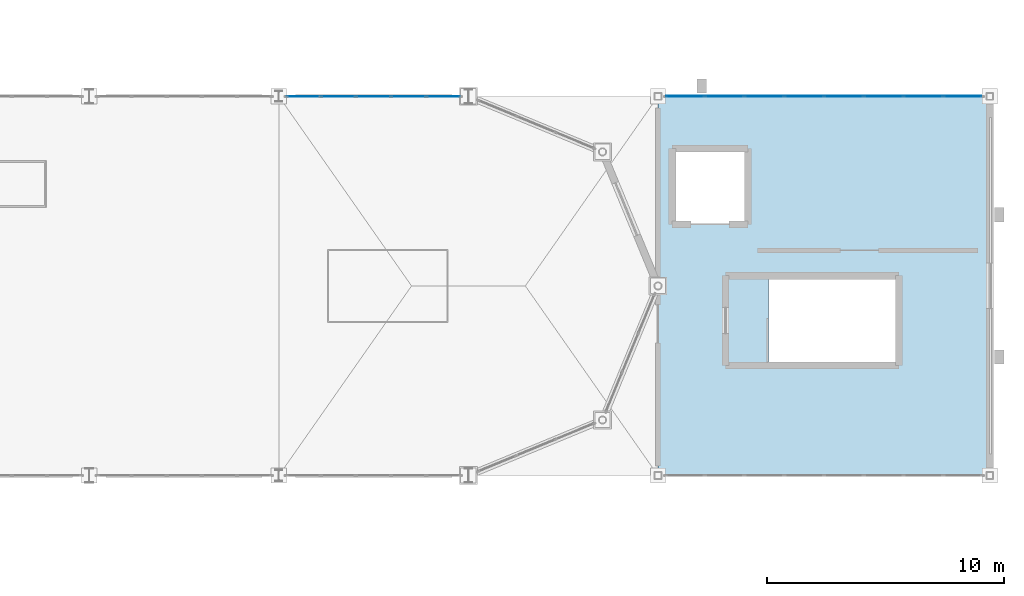
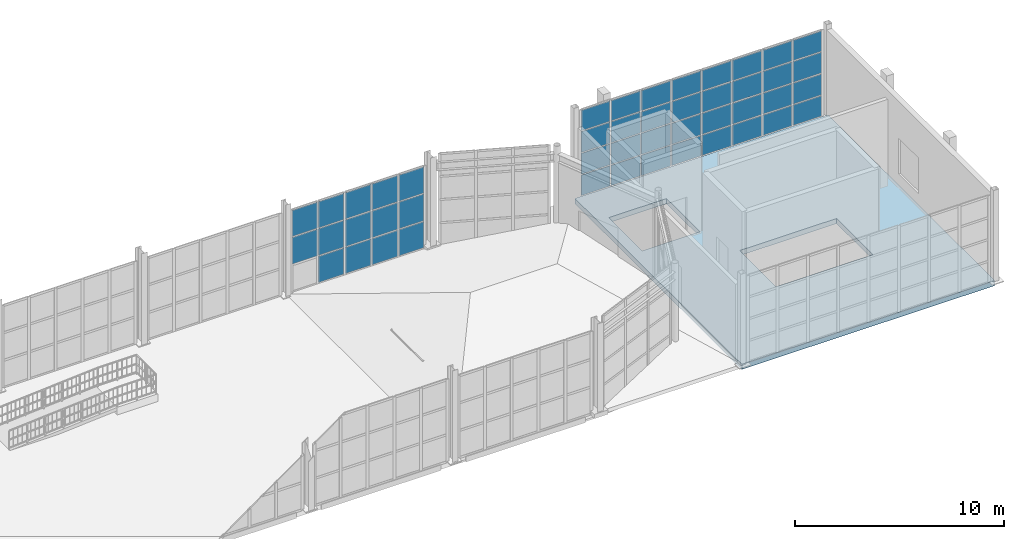
# One storey, part 63 of 82: 46 plates, 1 slab, 2 elements without a shape of their own.
"""IFC4 building model written with IfcOpenShell, lengths in metres."""

from ifc_helpers import new_model, si_unit, direction, frame, origin, origin_2d, place, context, subcontext, project, spatial, polyline, rectangle, outline, extrude, material, layer, layer_set, type_object, element, aggregate, save


model = new_model("IFC4")

# Units and contexts
model_context = context("Model", 3, precision=1e-05, world=origin(), true_north=direction((0.0, 1.0)))
body_context = subcontext(model_context, "Body", "Model", "MODEL_VIEW")
ifc_project = project(units=[si_unit("LENGTHUNIT", "METRE"), si_unit("AREAUNIT", "SQUARE_METRE"), si_unit("VOLUMEUNIT", "CUBIC_METRE"), si_unit("PLANEANGLEUNIT", "RADIAN"), si_unit("MASSUNIT", "GRAM", prefix="KILO")], contexts=[model_context])

# Site, building, storey
site_placement = place(None, origin())
site = spatial("IfcSite", under=ifc_project, at=site_placement, CompositionType="ELEMENT")
building_placement = place(site_placement, origin())
building = spatial("IfcBuilding", under=site, at=building_placement, Name="Serraluz Foothill Cableway Terminal", CompositionType="ELEMENT")
storey_placement = place(building_placement, frame((0.0, 0.0, 9.60009765625)))
storey = spatial("IfcBuildingStorey", under=building, at=storey_placement, Name="L02", CompositionType="ELEMENT", Elevation=9.60009765625)

# Curtain wall, plates
ifc_material_1 = material(Name="Architectural bronze alloy C28000", Category="aluminium")
curtain_wall_type_1 = type_object("IfcCurtainWallType", Name="TYP-CW-1480X420", PredefinedType="NOTDEFINED", material=ifc_material_1)
curtain_wall_1_placement = place(storey_placement, origin())
curtain_wall_1 = element("IfcCurtainWall", 1, at=curtain_wall_1_placement, inside=storey, type_object=curtain_wall_type_1, Name="Ribbed Glazed Curtain Wall CW-V1N-L02-144", PredefinedType="NOTDEFINED")
ifc_material_2 = material(Name="Translucent ribbed laminated channel glass", Category="glass")
ifc_layer_1 = layer(ifc_material_2, 0.028076171875, Name="Translucent ribbed laminated channel glass", Category="glass")
ifc_layer_set_1 = layer_set([ifc_layer_1], Name="Translucent ribbed laminated channel glass")
plate_type_1 = type_object("IfcPlateType", Name="TYP-CW-PNL-28", PredefinedType="CURTAIN_PANEL", material=ifc_layer_set_1)
plate_1_placement = place(storey_placement, frame((145.0380859375, 72.0, 1.646484375), z_axis=(0.0, 0.0, 1.0), x_axis=(1.0, 0.0, 0.0)))
plate_1 = element("IfcPlate", 2, at=plate_1_placement, type_object=plate_type_1, Name="CW-23 panel 1.2", PredefinedType="CURTAIN_PANEL", context=body_context, shape_type="SweptSolid", body=[
    extrude(rectangle(XDim=1.393310546875, YDim=0.028076171875, at=origin_2d()), origin(), (0.0, 0.0, 1.0), 1.556640625),
])
plate_2_placement = place(storey_placement, frame((145.0380859375, 72.0, 3.26318359375), z_axis=(0.0, 0.0, 1.0), x_axis=(1.0, 0.0, 0.0)))
plate_2 = element("IfcPlate", 3, at=plate_2_placement, type_object=plate_type_1, Name="CW-23 panel 1.3", PredefinedType="CURTAIN_PANEL", context=body_context, shape_type="SweptSolid", body=[
    extrude(rectangle(XDim=1.393310546875, YDim=0.028076171875, at=origin_2d()), origin(), (0.0, 0.0, 1.0), 1.526611328125),
])
plate_3_placement = place(storey_placement, frame((146.50634765625, 72.0, 0.06005859375), z_axis=(0.0, 0.0, 1.0), x_axis=(1.0, 0.0, 0.0)))
plate_3 = element("IfcPlate", 4, at=plate_3_placement, type_object=plate_type_1, Name="CW-23 panel 2.1", PredefinedType="CURTAIN_PANEL", context=body_context, shape_type="SweptSolid", body=[
    extrude(rectangle(XDim=1.423095703125, YDim=0.028076171875, at=origin_2d()), origin(), (0.0, 0.0, 1.0), 1.526611328125),
])
plate_4_placement = place(storey_placement, frame((146.50634765625, 72.0, 1.646484375), z_axis=(0.0, 0.0, 1.0), x_axis=(1.0, 0.0, 0.0)))
plate_4 = element("IfcPlate", 5, at=plate_4_placement, type_object=plate_type_1, Name="CW-23 panel 2.2", PredefinedType="CURTAIN_PANEL", context=body_context, shape_type="SweptSolid", body=[
    extrude(rectangle(XDim=1.423095703125, YDim=0.028076171875, at=origin_2d()), origin(), (0.0, 0.0, 1.0), 1.556640625),
])
plate_5_placement = place(storey_placement, frame((146.50634765625, 72.0, 3.26318359375), z_axis=(0.0, 0.0, 1.0), x_axis=(1.0, 0.0, 0.0)))
plate_5 = element("IfcPlate", 6, at=plate_5_placement, type_object=plate_type_1, Name="CW-23 panel 2.3", PredefinedType="CURTAIN_PANEL", context=body_context, shape_type="SweptSolid", body=[
    extrude(rectangle(XDim=1.423095703125, YDim=0.028076171875, at=origin_2d()), origin(), (0.0, 0.0, 1.0), 1.526611328125),
])
plate_6_placement = place(storey_placement, frame((147.989501953125, 72.0, 0.06005859375), z_axis=(0.0, 0.0, 1.0), x_axis=(1.0, 0.0, 0.0)))
plate_6 = element("IfcPlate", 7, at=plate_6_placement, type_object=plate_type_1, Name="CW-23 panel 3.1", PredefinedType="CURTAIN_PANEL", context=body_context, shape_type="SweptSolid", body=[
    extrude(rectangle(XDim=1.423095703125, YDim=0.028076171875, at=origin_2d()), origin(), (0.0, 0.0, 1.0), 1.526611328125),
])
plate_7_placement = place(storey_placement, frame((147.989501953125, 72.0, 1.646484375), z_axis=(0.0, 0.0, 1.0), x_axis=(1.0, 0.0, 0.0)))
plate_7 = element("IfcPlate", 8, at=plate_7_placement, type_object=plate_type_1, Name="CW-23 panel 3.2", PredefinedType="CURTAIN_PANEL", context=body_context, shape_type="SweptSolid", body=[
    extrude(rectangle(XDim=1.423095703125, YDim=0.028076171875, at=origin_2d()), origin(), (0.0, 0.0, 1.0), 1.556640625),
])
plate_8_placement = place(storey_placement, frame((147.989501953125, 72.0, 3.26318359375), z_axis=(0.0, 0.0, 1.0), x_axis=(1.0, 0.0, 0.0)))
plate_8 = element("IfcPlate", 9, at=plate_8_placement, type_object=plate_type_1, Name="CW-23 panel 3.3", PredefinedType="CURTAIN_PANEL", context=body_context, shape_type="SweptSolid", body=[
    extrude(rectangle(XDim=1.423095703125, YDim=0.028076171875, at=origin_2d()), origin(), (0.0, 0.0, 1.0), 1.526611328125),
])
plate_9_placement = place(storey_placement, frame((149.47265625, 72.0, 0.06005859375), z_axis=(0.0, 0.0, 1.0), x_axis=(1.0, 0.0, 0.0)))
plate_9 = element("IfcPlate", 10, at=plate_9_placement, type_object=plate_type_1, Name="CW-23 panel 4.1", PredefinedType="CURTAIN_PANEL", context=body_context, shape_type="SweptSolid", body=[
    extrude(rectangle(XDim=1.423095703125, YDim=0.028076171875, at=origin_2d()), origin(), (0.0, 0.0, 1.0), 1.526611328125),
])
plate_10_placement = place(storey_placement, frame((149.47265625, 72.0, 1.646484375), z_axis=(0.0, 0.0, 1.0), x_axis=(1.0, 0.0, 0.0)))
plate_10 = element("IfcPlate", 11, at=plate_10_placement, type_object=plate_type_1, Name="CW-23 panel 4.2", PredefinedType="CURTAIN_PANEL", context=body_context, shape_type="SweptSolid", body=[
    extrude(rectangle(XDim=1.423095703125, YDim=0.028076171875, at=origin_2d()), origin(), (0.0, 0.0, 1.0), 1.556640625),
])
plate_11_placement = place(storey_placement, frame((149.47265625, 72.0, 3.26318359375), z_axis=(0.0, 0.0, 1.0), x_axis=(1.0, 0.0, 0.0)))
plate_11 = element("IfcPlate", 12, at=plate_11_placement, type_object=plate_type_1, Name="CW-23 panel 4.3", PredefinedType="CURTAIN_PANEL", context=body_context, shape_type="SweptSolid", body=[
    extrude(rectangle(XDim=1.423095703125, YDim=0.028076171875, at=origin_2d()), origin(), (0.0, 0.0, 1.0), 1.526611328125),
])
plate_12_placement = place(storey_placement, frame((150.94091796875, 72.0, 0.06005859375), z_axis=(0.0, 0.0, 1.0), x_axis=(1.0, 0.0, 0.0)))
plate_12 = element("IfcPlate", 13, at=plate_12_placement, type_object=plate_type_1, Name="CW-23 panel 5.1", PredefinedType="CURTAIN_PANEL", context=body_context, shape_type="SweptSolid", body=[
    extrude(rectangle(XDim=1.393310546875, YDim=0.028076171875, at=origin_2d()), origin(), (0.0, 0.0, 1.0), 1.526611328125),
])
plate_13_placement = place(storey_placement, frame((150.94091796875, 72.0, 1.646484375), z_axis=(0.0, 0.0, 1.0), x_axis=(1.0, 0.0, 0.0)))
plate_13 = element("IfcPlate", 14, at=plate_13_placement, type_object=plate_type_1, Name="CW-23 panel 5.2", PredefinedType="CURTAIN_PANEL", context=body_context, shape_type="SweptSolid", body=[
    extrude(rectangle(XDim=1.393310546875, YDim=0.028076171875, at=origin_2d()), origin(), (0.0, 0.0, 1.0), 1.556640625),
])
plate_14_placement = place(storey_placement, frame((150.94091796875, 72.0, 3.26318359375), z_axis=(0.0, 0.0, 1.0), x_axis=(1.0, 0.0, 0.0)))
plate_14 = element("IfcPlate", 15, at=plate_14_placement, type_object=plate_type_1, Name="CW-23 panel 5.3", PredefinedType="CURTAIN_PANEL", context=body_context, shape_type="SweptSolid", body=[
    extrude(rectangle(XDim=1.393310546875, YDim=0.028076171875, at=origin_2d()), origin(), (0.0, 0.0, 1.0), 1.526611328125),
])
aggregate(curtain_wall_1, [plate_1, plate_2, plate_3, plate_4, plate_5, plate_6, plate_7, plate_8, plate_9, plate_10, plate_11, plate_12, plate_13, plate_14])

curtain_wall_type_2 = type_object("IfcCurtainWallType", Name="TYP-CW-1280X440", PredefinedType="NOTDEFINED", material=ifc_material_1)
curtain_wall_2_placement = place(storey_placement, origin())
curtain_wall_2 = element("IfcCurtainWall", 16, at=curtain_wall_2_placement, inside=storey, type_object=curtain_wall_type_2, Name="Ribbed Glazed Curtain Wall CW-V2N-L02", PredefinedType="NOTDEFINED")
ifc_material_3 = material(Name="Laminated low-E safety glass", Category="glass")
ifc_layer_2 = layer(ifc_material_3, 0.035888671875, Name="Laminated low-E safety glass", Category="glass")
ifc_layer_set_2 = layer_set([ifc_layer_2], Name="Laminated low-E safety glass")
plate_type_2 = type_object("IfcPlateType", Name="TYP-CW-PNL-36", PredefinedType="CURTAIN_PANEL", material=ifc_layer_set_2)
plate_15_placement = place(storey_placement, frame((161.143798828125, 72.0, 0.059814453125), z_axis=(0.0, 0.0, 1.0), x_axis=(1.0, 0.0, 0.0)))
plate_15 = element("IfcPlate", 17, at=plate_15_placement, type_object=plate_type_2, Name="CW-22 panel 1.1", PredefinedType="CURTAIN_PANEL", context=body_context, shape_type="SweptSolid", body=[
    extrude(rectangle(XDim=1.58740234375, YDim=0.035888671875, at=origin_2d()), origin(), (0.0, 0.0, 1.0), 1.18505859375),
])
plate_16_placement = place(storey_placement, frame((161.143798828125, 72.0, 1.3046875), z_axis=(0.0, 0.0, 1.0), x_axis=(1.0, 0.0, 0.0)))
plate_16 = element("IfcPlate", 18, at=plate_16_placement, type_object=plate_type_2, Name="CW-22 panel 1.2", PredefinedType="CURTAIN_PANEL", context=body_context, shape_type="SweptSolid", body=[
    extrude(rectangle(XDim=1.58740234375, YDim=0.035888671875, at=origin_2d()), origin(), (0.0, 0.0, 1.0), 1.215087890625),
])
plate_17_placement = place(storey_placement, frame((161.143798828125, 72.0, 2.580078125), z_axis=(0.0, 0.0, 1.0), x_axis=(1.0, 0.0, 0.0)))
plate_17 = element("IfcPlate", 19, at=plate_17_placement, type_object=plate_type_2, Name="CW-22 panel 1.3", PredefinedType="CURTAIN_PANEL", context=body_context, shape_type="SweptSolid", body=[
    extrude(rectangle(XDim=1.58740234375, YDim=0.035888671875, at=origin_2d()), origin(), (0.0, 0.0, 1.0), 1.215087890625),
])
plate_18_placement = place(storey_placement, frame((161.143798828125, 72.0, 3.85498046875), z_axis=(0.0, 0.0, 1.0), x_axis=(1.0, 0.0, 0.0)))
plate_18 = element("IfcPlate", 20, at=plate_18_placement, type_object=plate_type_2, Name="CW-22 panel 1.4", PredefinedType="CURTAIN_PANEL", context=body_context, shape_type="SweptSolid", body=[
    extrude(rectangle(XDim=1.58740234375, YDim=0.035888671875, at=origin_2d()), origin(), (0.0, 0.0, 1.0), 1.18505859375),
])
plate_19_placement = place(storey_placement, frame((162.80615234375, 72.0, 0.059814453125), z_axis=(0.0, 0.0, 1.0), x_axis=(1.0, 0.0, 0.0)))
plate_19 = element("IfcPlate", 21, at=plate_19_placement, type_object=plate_type_2, Name="CW-22 panel 2.1", PredefinedType="CURTAIN_PANEL", context=body_context, shape_type="SweptSolid", body=[
    extrude(rectangle(XDim=1.617431640625, YDim=0.035888671875, at=origin_2d()), origin(), (0.0, 0.0, 1.0), 1.18505859375),
])
plate_20_placement = place(storey_placement, frame((162.80615234375, 72.0, 1.3046875), z_axis=(0.0, 0.0, 1.0), x_axis=(1.0, 0.0, 0.0)))
plate_20 = element("IfcPlate", 22, at=plate_20_placement, type_object=plate_type_2, Name="CW-22 panel 2.2", PredefinedType="CURTAIN_PANEL", context=body_context, shape_type="SweptSolid", body=[
    extrude(rectangle(XDim=1.617431640625, YDim=0.035888671875, at=origin_2d()), origin(), (0.0, 0.0, 1.0), 1.215087890625),
])
plate_21_placement = place(storey_placement, frame((162.80615234375, 72.0, 2.580078125), z_axis=(0.0, 0.0, 1.0), x_axis=(1.0, 0.0, 0.0)))
plate_21 = element("IfcPlate", 23, at=plate_21_placement, type_object=plate_type_2, Name="CW-22 panel 2.3", PredefinedType="CURTAIN_PANEL", context=body_context, shape_type="SweptSolid", body=[
    extrude(rectangle(XDim=1.617431640625, YDim=0.035888671875, at=origin_2d()), origin(), (0.0, 0.0, 1.0), 1.215087890625),
])
plate_22_placement = place(storey_placement, frame((162.80615234375, 72.0, 3.85498046875), z_axis=(0.0, 0.0, 1.0), x_axis=(1.0, 0.0, 0.0)))
plate_22 = element("IfcPlate", 24, at=plate_22_placement, type_object=plate_type_2, Name="CW-22 panel 2.4", PredefinedType="CURTAIN_PANEL", context=body_context, shape_type="SweptSolid", body=[
    extrude(rectangle(XDim=1.617431640625, YDim=0.035888671875, at=origin_2d()), origin(), (0.0, 0.0, 1.0), 1.18505859375),
])
plate_23_placement = place(storey_placement, frame((164.483642578125, 72.0, 0.059814453125), z_axis=(0.0, 0.0, 1.0), x_axis=(1.0, 0.0, 0.0)))
plate_23 = element("IfcPlate", 25, at=plate_23_placement, type_object=plate_type_2, Name="CW-22 panel 3.1", PredefinedType="CURTAIN_PANEL", context=body_context, shape_type="SweptSolid", body=[
    extrude(rectangle(XDim=1.617431640625, YDim=0.035888671875, at=origin_2d()), origin(), (0.0, 0.0, 1.0), 1.18505859375),
])
plate_24_placement = place(storey_placement, frame((164.483642578125, 72.0, 1.3046875), z_axis=(0.0, 0.0, 1.0), x_axis=(1.0, 0.0, 0.0)))
plate_24 = element("IfcPlate", 26, at=plate_24_placement, type_object=plate_type_2, Name="CW-22 panel 3.2", PredefinedType="CURTAIN_PANEL", context=body_context, shape_type="SweptSolid", body=[
    extrude(rectangle(XDim=1.617431640625, YDim=0.035888671875, at=origin_2d()), origin(), (0.0, 0.0, 1.0), 1.215087890625),
])
plate_25_placement = place(storey_placement, frame((164.483642578125, 72.0, 2.580078125), z_axis=(0.0, 0.0, 1.0), x_axis=(1.0, 0.0, 0.0)))
plate_25 = element("IfcPlate", 27, at=plate_25_placement, type_object=plate_type_2, Name="CW-22 panel 3.3", PredefinedType="CURTAIN_PANEL", context=body_context, shape_type="SweptSolid", body=[
    extrude(rectangle(XDim=1.617431640625, YDim=0.035888671875, at=origin_2d()), origin(), (0.0, 0.0, 1.0), 1.215087890625),
])
plate_26_placement = place(storey_placement, frame((164.483642578125, 72.0, 3.85498046875), z_axis=(0.0, 0.0, 1.0), x_axis=(1.0, 0.0, 0.0)))
plate_26 = element("IfcPlate", 28, at=plate_26_placement, type_object=plate_type_2, Name="CW-22 panel 3.4", PredefinedType="CURTAIN_PANEL", context=body_context, shape_type="SweptSolid", body=[
    extrude(rectangle(XDim=1.617431640625, YDim=0.035888671875, at=origin_2d()), origin(), (0.0, 0.0, 1.0), 1.18505859375),
])
plate_27_placement = place(storey_placement, frame((166.1611328125, 72.0, 0.059814453125), z_axis=(0.0, 0.0, 1.0), x_axis=(1.0, 0.0, 0.0)))
plate_27 = element("IfcPlate", 29, at=plate_27_placement, type_object=plate_type_2, Name="CW-22 panel 4.1", PredefinedType="CURTAIN_PANEL", context=body_context, shape_type="SweptSolid", body=[
    extrude(rectangle(XDim=1.617431640625, YDim=0.035888671875, at=origin_2d()), origin(), (0.0, 0.0, 1.0), 1.18505859375),
])
plate_28_placement = place(storey_placement, frame((166.1611328125, 72.0, 1.3046875), z_axis=(0.0, 0.0, 1.0), x_axis=(1.0, 0.0, 0.0)))
plate_28 = element("IfcPlate", 30, at=plate_28_placement, type_object=plate_type_2, Name="CW-22 panel 4.2", PredefinedType="CURTAIN_PANEL", context=body_context, shape_type="SweptSolid", body=[
    extrude(rectangle(XDim=1.617431640625, YDim=0.035888671875, at=origin_2d()), origin(), (0.0, 0.0, 1.0), 1.215087890625),
])
plate_29_placement = place(storey_placement, frame((166.1611328125, 72.0, 2.580078125), z_axis=(0.0, 0.0, 1.0), x_axis=(1.0, 0.0, 0.0)))
plate_29 = element("IfcPlate", 31, at=plate_29_placement, type_object=plate_type_2, Name="CW-22 panel 4.3", PredefinedType="CURTAIN_PANEL", context=body_context, shape_type="SweptSolid", body=[
    extrude(rectangle(XDim=1.617431640625, YDim=0.035888671875, at=origin_2d()), origin(), (0.0, 0.0, 1.0), 1.215087890625),
])
plate_30_placement = place(storey_placement, frame((166.1611328125, 72.0, 3.85498046875), z_axis=(0.0, 0.0, 1.0), x_axis=(1.0, 0.0, 0.0)))
plate_30 = element("IfcPlate", 32, at=plate_30_placement, type_object=plate_type_2, Name="CW-22 panel 4.4", PredefinedType="CURTAIN_PANEL", context=body_context, shape_type="SweptSolid", body=[
    extrude(rectangle(XDim=1.617431640625, YDim=0.035888671875, at=origin_2d()), origin(), (0.0, 0.0, 1.0), 1.18505859375),
])
plate_31_placement = place(storey_placement, frame((167.8388671875, 72.0, 0.059814453125), z_axis=(0.0, 0.0, 1.0), x_axis=(1.0, 0.0, 0.0)))
plate_31 = element("IfcPlate", 33, at=plate_31_placement, type_object=plate_type_2, Name="CW-22 panel 5.1", PredefinedType="CURTAIN_PANEL", context=body_context, shape_type="SweptSolid", body=[
    extrude(rectangle(XDim=1.617431640625, YDim=0.035888671875, at=origin_2d()), origin(), (0.0, 0.0, 1.0), 1.18505859375),
])
plate_32_placement = place(storey_placement, frame((167.8388671875, 72.0, 1.3046875), z_axis=(0.0, 0.0, 1.0), x_axis=(1.0, 0.0, 0.0)))
plate_32 = element("IfcPlate", 34, at=plate_32_placement, type_object=plate_type_2, Name="CW-22 panel 5.2", PredefinedType="CURTAIN_PANEL", context=body_context, shape_type="SweptSolid", body=[
    extrude(rectangle(XDim=1.617431640625, YDim=0.035888671875, at=origin_2d()), origin(), (0.0, 0.0, 1.0), 1.215087890625),
])
plate_33_placement = place(storey_placement, frame((167.8388671875, 72.0, 2.580078125), z_axis=(0.0, 0.0, 1.0), x_axis=(1.0, 0.0, 0.0)))
plate_33 = element("IfcPlate", 35, at=plate_33_placement, type_object=plate_type_2, Name="CW-22 panel 5.3", PredefinedType="CURTAIN_PANEL", context=body_context, shape_type="SweptSolid", body=[
    extrude(rectangle(XDim=1.617431640625, YDim=0.035888671875, at=origin_2d()), origin(), (0.0, 0.0, 1.0), 1.215087890625),
])
plate_34_placement = place(storey_placement, frame((167.8388671875, 72.0, 3.85498046875), z_axis=(0.0, 0.0, 1.0), x_axis=(1.0, 0.0, 0.0)))
plate_34 = element("IfcPlate", 36, at=plate_34_placement, type_object=plate_type_2, Name="CW-22 panel 5.4", PredefinedType="CURTAIN_PANEL", context=body_context, shape_type="SweptSolid", body=[
    extrude(rectangle(XDim=1.617431640625, YDim=0.035888671875, at=origin_2d()), origin(), (0.0, 0.0, 1.0), 1.18505859375),
])
plate_35_placement = place(storey_placement, frame((169.516357421875, 72.0, 0.059814453125), z_axis=(0.0, 0.0, 1.0), x_axis=(1.0, 0.0, 0.0)))
plate_35 = element("IfcPlate", 37, at=plate_35_placement, type_object=plate_type_2, Name="CW-22 panel 6.1", PredefinedType="CURTAIN_PANEL", context=body_context, shape_type="SweptSolid", body=[
    extrude(rectangle(XDim=1.617431640625, YDim=0.035888671875, at=origin_2d()), origin(), (0.0, 0.0, 1.0), 1.18505859375),
])
plate_36_placement = place(storey_placement, frame((169.516357421875, 72.0, 1.3046875), z_axis=(0.0, 0.0, 1.0), x_axis=(1.0, 0.0, 0.0)))
plate_36 = element("IfcPlate", 38, at=plate_36_placement, type_object=plate_type_2, Name="CW-22 panel 6.2", PredefinedType="CURTAIN_PANEL", context=body_context, shape_type="SweptSolid", body=[
    extrude(rectangle(XDim=1.617431640625, YDim=0.035888671875, at=origin_2d()), origin(), (0.0, 0.0, 1.0), 1.215087890625),
])
plate_37_placement = place(storey_placement, frame((169.516357421875, 72.0, 2.580078125), z_axis=(0.0, 0.0, 1.0), x_axis=(1.0, 0.0, 0.0)))
plate_37 = element("IfcPlate", 39, at=plate_37_placement, type_object=plate_type_2, Name="CW-22 panel 6.3", PredefinedType="CURTAIN_PANEL", context=body_context, shape_type="SweptSolid", body=[
    extrude(rectangle(XDim=1.617431640625, YDim=0.035888671875, at=origin_2d()), origin(), (0.0, 0.0, 1.0), 1.215087890625),
])
plate_38_placement = place(storey_placement, frame((169.516357421875, 72.0, 3.85498046875), z_axis=(0.0, 0.0, 1.0), x_axis=(1.0, 0.0, 0.0)))
plate_38 = element("IfcPlate", 40, at=plate_38_placement, type_object=plate_type_2, Name="CW-22 panel 6.4", PredefinedType="CURTAIN_PANEL", context=body_context, shape_type="SweptSolid", body=[
    extrude(rectangle(XDim=1.617431640625, YDim=0.035888671875, at=origin_2d()), origin(), (0.0, 0.0, 1.0), 1.18505859375),
])
plate_39_placement = place(storey_placement, frame((171.19384765625, 72.0, 0.059814453125), z_axis=(0.0, 0.0, 1.0), x_axis=(1.0, 0.0, 0.0)))
plate_39 = element("IfcPlate", 41, at=plate_39_placement, type_object=plate_type_2, Name="CW-22 panel 7.1", PredefinedType="CURTAIN_PANEL", context=body_context, shape_type="SweptSolid", body=[
    extrude(rectangle(XDim=1.617431640625, YDim=0.035888671875, at=origin_2d()), origin(), (0.0, 0.0, 1.0), 1.18505859375),
])
plate_40_placement = place(storey_placement, frame((171.19384765625, 72.0, 1.3046875), z_axis=(0.0, 0.0, 1.0), x_axis=(1.0, 0.0, 0.0)))
plate_40 = element("IfcPlate", 42, at=plate_40_placement, type_object=plate_type_2, Name="CW-22 panel 7.2", PredefinedType="CURTAIN_PANEL", context=body_context, shape_type="SweptSolid", body=[
    extrude(rectangle(XDim=1.617431640625, YDim=0.035888671875, at=origin_2d()), origin(), (0.0, 0.0, 1.0), 1.215087890625),
])
plate_41_placement = place(storey_placement, frame((171.19384765625, 72.0, 2.580078125), z_axis=(0.0, 0.0, 1.0), x_axis=(1.0, 0.0, 0.0)))
plate_41 = element("IfcPlate", 43, at=plate_41_placement, type_object=plate_type_2, Name="CW-22 panel 7.3", PredefinedType="CURTAIN_PANEL", context=body_context, shape_type="SweptSolid", body=[
    extrude(rectangle(XDim=1.617431640625, YDim=0.035888671875, at=origin_2d()), origin(), (0.0, 0.0, 1.0), 1.215087890625),
])
plate_42_placement = place(storey_placement, frame((171.19384765625, 72.0, 3.85498046875), z_axis=(0.0, 0.0, 1.0), x_axis=(1.0, 0.0, 0.0)))
plate_42 = element("IfcPlate", 44, at=plate_42_placement, type_object=plate_type_2, Name="CW-22 panel 7.4", PredefinedType="CURTAIN_PANEL", context=body_context, shape_type="SweptSolid", body=[
    extrude(rectangle(XDim=1.617431640625, YDim=0.035888671875, at=origin_2d()), origin(), (0.0, 0.0, 1.0), 1.18505859375),
])
plate_43_placement = place(storey_placement, frame((172.856201171875, 72.0, 0.059814453125), z_axis=(0.0, 0.0, 1.0), x_axis=(1.0, 0.0, 0.0)))
plate_43 = element("IfcPlate", 45, at=plate_43_placement, type_object=plate_type_2, Name="CW-22 panel 8.1", PredefinedType="CURTAIN_PANEL", context=body_context, shape_type="SweptSolid", body=[
    extrude(rectangle(XDim=1.58740234375, YDim=0.035888671875, at=origin_2d()), origin(), (0.0, 0.0, 1.0), 1.18505859375),
])
plate_44_placement = place(storey_placement, frame((172.856201171875, 72.0, 1.3046875), z_axis=(0.0, 0.0, 1.0), x_axis=(1.0, 0.0, 0.0)))
plate_44 = element("IfcPlate", 46, at=plate_44_placement, type_object=plate_type_2, Name="CW-22 panel 8.2", PredefinedType="CURTAIN_PANEL", context=body_context, shape_type="SweptSolid", body=[
    extrude(rectangle(XDim=1.58740234375, YDim=0.035888671875, at=origin_2d()), origin(), (0.0, 0.0, 1.0), 1.215087890625),
])
plate_45_placement = place(storey_placement, frame((172.856201171875, 72.0, 2.580078125), z_axis=(0.0, 0.0, 1.0), x_axis=(1.0, 0.0, 0.0)))
plate_45 = element("IfcPlate", 47, at=plate_45_placement, type_object=plate_type_2, Name="CW-22 panel 8.3", PredefinedType="CURTAIN_PANEL", context=body_context, shape_type="SweptSolid", body=[
    extrude(rectangle(XDim=1.58740234375, YDim=0.035888671875, at=origin_2d()), origin(), (0.0, 0.0, 1.0), 1.215087890625),
])
plate_46_placement = place(storey_placement, frame((172.856201171875, 72.0, 3.85498046875), z_axis=(0.0, 0.0, 1.0), x_axis=(1.0, 0.0, 0.0)))
plate_46 = element("IfcPlate", 48, at=plate_46_placement, type_object=plate_type_2, Name="CW-22 panel 8.4", PredefinedType="CURTAIN_PANEL", context=body_context, shape_type="SweptSolid", body=[
    extrude(rectangle(XDim=1.58740234375, YDim=0.035888671875, at=origin_2d()), origin(), (0.0, 0.0, 1.0), 1.18505859375),
])
aggregate(curtain_wall_2, [plate_15, plate_16, plate_17, plate_18, plate_19, plate_20, plate_21, plate_22, plate_23, plate_24, plate_25, plate_26, plate_27, plate_28, plate_29, plate_30, plate_31, plate_32, plate_33, plate_34, plate_35, plate_36, plate_37, plate_38, plate_39, plate_40, plate_41, plate_42, plate_43, plate_44, plate_45, plate_46])

# Slab
ifc_material_4 = material(Name="Concrete C35/45 (f'c 35 MPa)", Category="concrete")
ifc_layer_3 = layer(ifc_material_4, 0.300048828125, Name="Concrete C35/45 (f'c 35 MPa)", Category="concrete")
ifc_layer_set_3 = layer_set([ifc_layer_3], Name="Concrete C35/45 (f'c 35 MPa)")
slab_type = type_object("IfcSlabType", Name="TYP-SLB-FLR-300", PredefinedType="FLOOR", material=ifc_layer_set_3)
slab_placement = place(storey_placement, frame((0.0, 0.0, -0.300048828125)))
element("IfcSlab", 49, at=slab_placement, inside=storey, type_object=slab_type, Name="Structural Slab SLB-L02-V2", PredefinedType="FLOOR", context=body_context, shape_type="SweptSolid", body=[
    extrude(outline(polyline([(160.0, 56.0), (174.0, 56.0), (174.0, 72.0), (160.0, 72.0), (160.0, 56.0)]), holes=[polyline([(164.659912109375, 60.800048828125), (170.02490234375, 60.800048828125), (170.02490234375, 64.280029296875), (164.659912109375, 64.280029296875), (164.659912109375, 60.800048828125)]), polyline([(160.60009765625, 66.60009765625), (163.800048828125, 66.60009765625), (163.800048828125, 69.800048828125), (160.60009765625, 69.800048828125), (160.60009765625, 66.60009765625)])]), origin(), (0.0, 0.0, 1.0), 0.300048828125),
])

save(model, "model.ifc")
